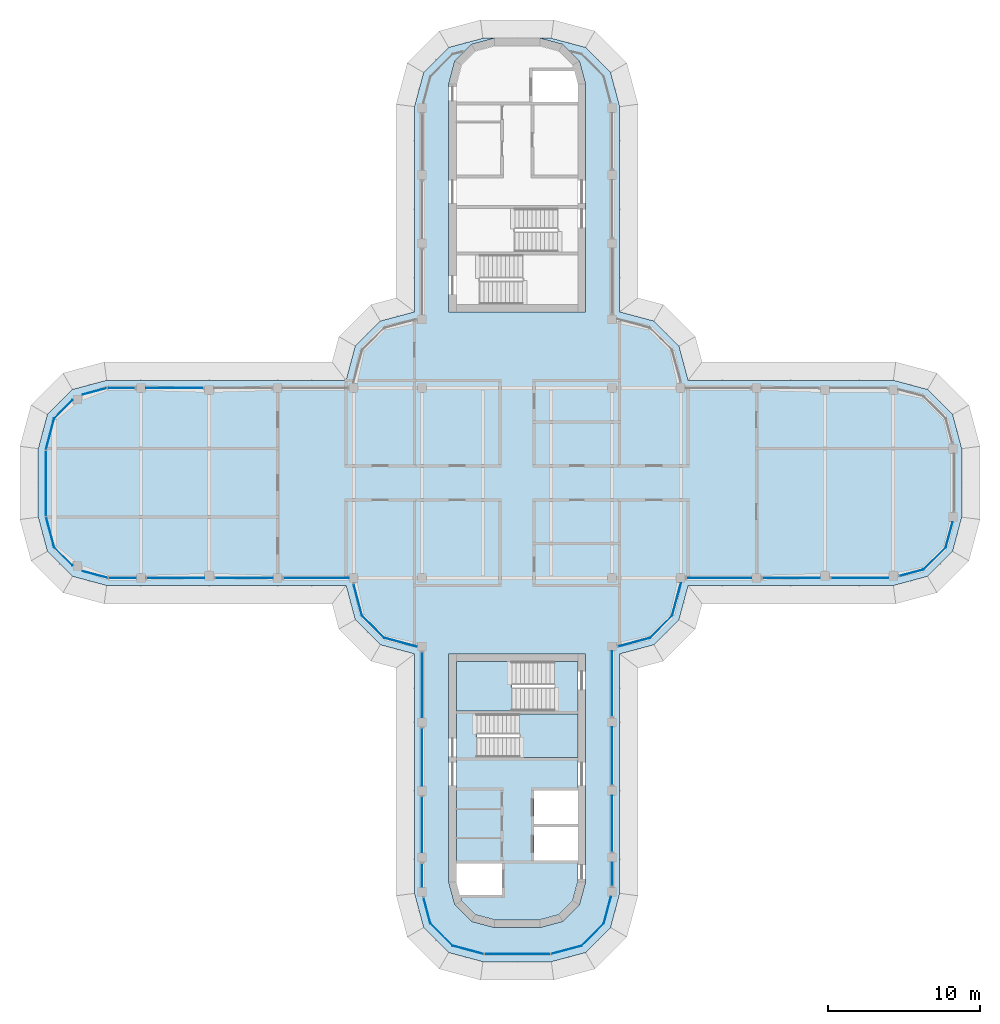
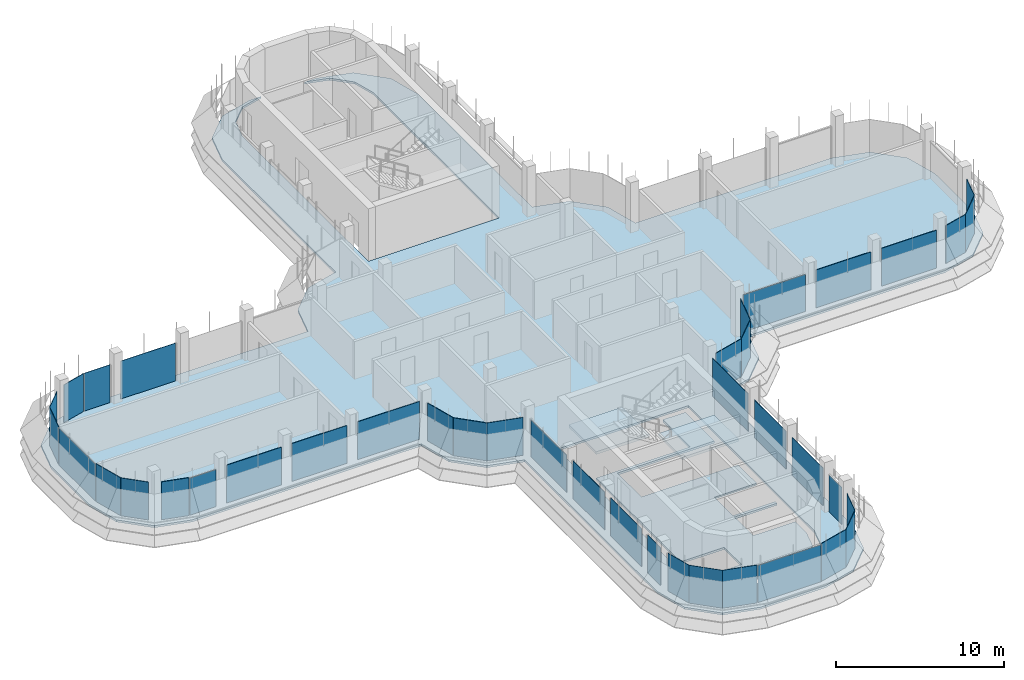
# One storey, part 11 of 19: 40 plates, 4 slabs, 30 elements without a shape of their own.
"""IFC4 building model written with IfcOpenShell, lengths in metres."""

from ifc_helpers import new_model, si_unit, direction, frame, origin, place, context, subcontext, project, spatial, polyline, outline, extrude, source, transform, mapped, material, layer, layer_set, type_object, element, aggregate, save


model = new_model("IFC4")

# Units and contexts
model_context = context("Model", 3, precision=1e-05, world=origin(), true_north=direction((0.0, 1.0)))
body_context = subcontext(model_context, "Body", "Model", "MODEL_VIEW")
ifc_project = project(units=[si_unit("LENGTHUNIT", "METRE"), si_unit("AREAUNIT", "SQUARE_METRE"), si_unit("VOLUMEUNIT", "CUBIC_METRE"), si_unit("PLANEANGLEUNIT", "RADIAN"), si_unit("MASSUNIT", "GRAM", prefix="KILO")], contexts=[model_context])

# Site, building, storey
site_placement = place(None, origin())
site = spatial("IfcSite", under=ifc_project, at=site_placement, CompositionType="ELEMENT")
building_placement = place(site_placement, origin())
building = spatial("IfcBuilding", under=site, at=building_placement, Name="Zarbagh Exchange Tower", CompositionType="ELEMENT")
storey_placement = place(building_placement, frame((0.0, 0.0, 268.800048828125)))
storey = spatial("IfcBuildingStorey", under=building, at=storey_placement, Name="L66", CompositionType="ELEMENT", Elevation=268.800048828125)

# Slabs
ifc_material_1 = material(Name="Concrete C40/50", Category="concrete")
ifc_layer_1 = layer(ifc_material_1, 0.14990234375)
ifc_layer_set_1 = layer_set([ifc_layer_1], Name="Composite floor slab 150 C40/50")
slab_type_1 = type_object("IfcSlabType", Name="Composite floor slab 150 C40/50", PredefinedType="FLOOR", material=ifc_layer_set_1)
slab_1_placement = place(storey_placement, frame((0.0, 0.0, -0.150146484375)))
element("IfcSlab", 1, at=slab_1_placement, inside=storey, type_object=slab_type_1, Name="S5 composite floor slab", PredefinedType="FLOOR", context=body_context, shape_type="SweptSolid", body=[
    extrude(outline(polyline([(-2.25, -31.5), (-4.5, -30.897216796875), (-6.147216796875, -29.25), (-6.75, -27.0), (-6.75, -11.25), (-9.0, -10.647216796875), (-10.647216796875, -9.0), (-11.25, -6.75), (-27.0, -6.75), (-29.25, -6.147216796875), (-30.897216796875, -4.5), (-31.5, -2.25), (-31.5, 2.25), (-30.897216796875, 4.5), (-29.25, 6.147216796875), (-27.0, 6.75), (-11.25, 6.75), (-10.647216796875, 9.0), (-9.0, 10.647216796875), (-6.75, 11.25), (-6.75, 24.75), (-6.147216796875, 27.0), (-4.5, 28.647216796875), (-2.25, 29.25), (-1.5, 29.25), (-3.0, 28.84814453125), (-4.09814453125, 27.75), (-4.5, 26.25), (-4.5, 11.25), (4.5, 11.25), (4.5, 26.25), (4.09814453125, 27.75), (3.0, 28.84814453125), (1.5, 29.25), (2.25, 29.25), (4.5, 28.647216796875), (6.147216796875, 27.0), (6.75, 24.75), (6.75, 11.25), (9.0, 10.647216796875), (10.647216796875, 9.0), (11.25, 6.75), (24.75, 6.75), (27.0, 6.147216796875), (28.647216796875, 4.5), (29.25, 2.25), (29.25, -2.25), (28.647216796875, -4.5), (27.0, -6.147216796875), (24.75, -6.75), (11.25, -6.75), (10.647216796875, -9.0), (9.0, -10.647216796875), (6.75, -11.25), (6.75, -27.0), (6.147216796875, -29.25), (4.5, -30.897216796875), (2.25, -31.5), (-2.25, -31.5)]), holes=[polyline([(-1.5, -29.25), (1.5, -29.25), (3.0, -28.84814453125), (4.09814453125, -27.75), (4.5, -26.25), (4.5, -11.25), (-4.5, -11.25), (-4.5, -26.25), (-4.09814453125, -27.75), (-3.0, -28.84814453125), (-1.5, -29.25)])]), origin(), (0.0, 0.0, 1.0), 0.150146484375),
])
ifc_layer_2 = layer(ifc_material_1, 0.14990234375)
ifc_layer_set_2 = layer_set([ifc_layer_2], Name="Core floor slab 150 C40/50")
slab_type_2 = type_object("IfcSlabType", Name="Core floor slab 150 C40/50", PredefinedType="FLOOR", material=ifc_layer_set_2)
slab_2_placement = place(storey_placement, frame((0.0, 0.0, -0.150146484375)))
element("IfcSlab", 2, at=slab_2_placement, inside=storey, type_object=slab_type_2, Name="S17 core S", PredefinedType="FLOOR", context=body_context, shape_type="SweptSolid", body=[
    extrude(outline(polyline([(-2.7412109375, -28.39990234375), (-3.64990234375, -27.4912109375), (-3.857666015625, -26.715087890625), (-3.754638671875, -27.10009765625), (-1.0, -27.10009765625), (-1.0, -25.050048828125), (-4.0, -25.050048828125), (-4.0, -15.0), (2.449951171875, -15.0), (2.449951171875, -11.75), (4.0, -11.75), (4.0, -15.199951171875), (-2.64990234375, -15.199951171875), (-2.64990234375, -18.050048828125), (4.0, -18.050048828125), (4.0, -20.25), (1.10009765625, -20.25), (1.10009765625, -22.449951171875), (4.0, -22.449951171875), (4.0, -22.64990234375), (1.10009765625, -22.64990234375), (1.10009765625, -24.85009765625), (4.0, -24.85009765625), (4.0, -26.18408203125), (3.64990234375, -27.4912109375), (2.7412109375, -28.39990234375), (1.43408203125, -28.75), (-1.43408203125, -28.75), (-2.7412109375, -28.39990234375)])), origin(), (0.0, 0.0, 1.0), 0.150146484375),
])

# Stair, slab
stair_type = type_object("IfcStairType", Name="Exit stair two-flight half-turn", PredefinedType="HALF_TURN_STAIR", material=ifc_material_1)
stair_1_placement = place(storey_placement, origin())
stair_1 = element("IfcStair", 3, at=stair_1_placement, inside=storey, type_object=stair_type, Name="exit stair ST3", PredefinedType="HALF_TURN_STAIR")
ifc_layer_3 = layer(ifc_material_1, 0.199951171875)
ifc_layer_set_3 = layer_set([ifc_layer_3], Name="Stair landing 200 mm")
slab_type_3 = type_object("IfcSlabType", Name="Stair landing 200 mm", PredefinedType="LANDING", material=ifc_layer_set_3)
slab_3_placement = place(storey_placement, frame((0.0, 0.0, 1.699951171875)))
slab_3 = element("IfcSlab", 4, at=slab_3_placement, type_object=slab_type_3, Name="ST3 landing 1", PredefinedType="LANDING", context=body_context, shape_type="SweptSolid", body=[
    extrude(outline(polyline([(0.14990234375, -18.050048828125), (4.0, -18.050048828125), (4.0, -15.199951171875), (0.14990234375, -15.199951171875), (0.14990234375, -18.050048828125)])), origin(), (0.0, 0.0, 1.0), 0.199951171875),
])
aggregate(stair_1, [slab_3])

stair_2_placement = place(storey_placement, origin())
stair_2 = element("IfcStair", 5, at=stair_2_placement, inside=storey, type_object=stair_type, Name="exit stair ST4", PredefinedType="HALF_TURN_STAIR")
slab_4_placement = place(storey_placement, frame((0.0, 0.0, 1.699951171875)))
slab_4 = element("IfcSlab", 6, at=slab_4_placement, type_object=slab_type_3, Name="ST4 landing 1", PredefinedType="LANDING", context=body_context, shape_type="SweptSolid", body=[
    extrude(outline(polyline([(-0.35009765625, -11.75), (-4.0, -11.75), (-4.0, -15.0), (-0.35009765625, -15.0), (-0.35009765625, -11.75)])), origin(), (0.0, 0.0, 1.0), 0.199951171875),
])
aggregate(stair_2, [slab_4])

# Curtain wall, plate
ifc_material_2 = material(Name="Anodised aluminium frame and glazing", Category="aluminium")
curtain_wall_type = type_object("IfcCurtainWallType", Name="CWB Ribbon glazing, upper zones", PredefinedType="NOTDEFINED", material=ifc_material_2)
curtain_wall_1_placement = place(storey_placement, origin())
curtain_wall_1 = element("IfcCurtainWall", 7, at=curtain_wall_1_placement, inside=storey, type_object=curtain_wall_type, Name="CWB50 curtain wall", PredefinedType="NOTDEFINED")
ifc_material_3 = material(Name="Low-e double glazed unit, 6+12+6 mm")
ifc_layer_4 = layer(ifc_material_3, 0.031982421875)
ifc_layer_set_4 = layer_set([ifc_layer_4], Name="PAB Glazing panel, Low-e double glazed unit, 6+12+6 mm")
plate_type = type_object("IfcPlateType", Name="PAB Glazing panel, Low-e double glazed unit, 6+12+6 mm", PredefinedType="CURTAIN_PANEL", material=ifc_layer_set_4)
shared_shape_1 = source(origin(), body_context, "Body", "SweptSolid", [
    extrude(outline(polyline([(0.0, -0.01611328125), (2.061279296875, -0.01611328125), (2.061279296875, 0.01611328125), (0.0, 0.01611328125), (0.0, -0.01611328125)])), origin(), (0.0, 0.0, 1.0), 2.75),
])
placement = place(storey_placement, origin())
plate_1 = element("IfcPlate", 8, at=placement, type_object=plate_type, Name="CWB50 glazing panel 1.1", PredefinedType="CURTAIN_PANEL", context=body_context, shape_type="MappedRepresentation", body=[
    mapped(shared_shape_1, transform((4.2412109375, -30.44873046875, 0.0), x_axis=(0.707106781187, 0.707106781187, 0.0), y_axis=(-0.707106781187, 0.707106781187, 0.0), z_axis=(0.0, 0.0, 1.0))),
])
aggregate(curtain_wall_1, [plate_1])

curtain_wall_2_placement = place(storey_placement, origin())
curtain_wall_2 = element("IfcCurtainWall", 9, at=curtain_wall_2_placement, inside=storey, type_object=curtain_wall_type, Name="CWB06 curtain wall", PredefinedType="NOTDEFINED")
plate_2 = element("IfcPlate", 10, at=placement, type_object=plate_type, Name="CWB06 glazing panel 1.1", PredefinedType="CURTAIN_PANEL", context=body_context, shape_type="MappedRepresentation", body=[
    mapped(shared_shape_1, transform((8.7412109375, -10.19873046875, 0.0), x_axis=(0.707106781187, 0.707106781187, 0.0), y_axis=(-0.707106781187, 0.707106781187, 0.0), z_axis=(0.0, 0.0, 1.0))),
])
aggregate(curtain_wall_2, [plate_2])

curtain_wall_3_placement = place(storey_placement, origin())
curtain_wall_3 = element("IfcCurtainWall", 11, at=curtain_wall_3_placement, inside=storey, type_object=curtain_wall_type, Name="CWB77 curtain wall", PredefinedType="NOTDEFINED")
plate_3 = element("IfcPlate", 12, at=placement, type_object=plate_type, Name="CWB77 glazing panel 1.1", PredefinedType="CURTAIN_PANEL", context=body_context, shape_type="MappedRepresentation", body=[
    mapped(shared_shape_1, transform((26.7412109375, -5.69873046875, 0.0), x_axis=(0.707106781187, 0.707106781187, 0.0), y_axis=(-0.707106781187, 0.707106781187, 0.0), z_axis=(0.0, 0.0, 1.0))),
])
aggregate(curtain_wall_3, [plate_3])

curtain_wall_4_placement = place(storey_placement, origin())
curtain_wall_4 = element("IfcCurtainWall", 13, at=curtain_wall_4_placement, inside=storey, type_object=curtain_wall_type, Name="CWB42 curtain wall", PredefinedType="NOTDEFINED")
plate_4 = element("IfcPlate", 14, at=placement, type_object=plate_type, Name="CWB42 glazing panel 1.1", PredefinedType="CURTAIN_PANEL", context=body_context, shape_type="MappedRepresentation", body=[
    mapped(shared_shape_1, transform((-10.19873046875, -8.7412109375, 0.0), x_axis=(0.707106781187, -0.707106781187, 0.0), y_axis=(0.707106781187, 0.707106781187, 0.0), z_axis=(0.0, 0.0, 1.0))),
])
aggregate(curtain_wall_4, [plate_4])

curtain_wall_5_placement = place(storey_placement, origin())
curtain_wall_5 = element("IfcCurtainWall", 15, at=curtain_wall_5_placement, inside=storey, type_object=curtain_wall_type, Name="CWB55 curtain wall", PredefinedType="NOTDEFINED")
plate_5 = element("IfcPlate", 16, at=placement, type_object=plate_type, Name="CWB55 glazing panel 1.1", PredefinedType="CURTAIN_PANEL", context=body_context, shape_type="MappedRepresentation", body=[
    mapped(shared_shape_1, transform((-5.69873046875, -28.9912109375, 0.0), x_axis=(0.707106781187, -0.707106781187, 0.0), y_axis=(0.707106781187, 0.707106781187, 0.0), z_axis=(0.0, 0.0, 1.0))),
])
aggregate(curtain_wall_5, [plate_5])

curtain_wall_6_placement = place(storey_placement, origin())
curtain_wall_6 = element("IfcCurtainWall", 17, at=curtain_wall_6_placement, inside=storey, type_object=curtain_wall_type, Name="CWB61 curtain wall", PredefinedType="NOTDEFINED")
shared_shape_2 = source(origin(), body_context, "Body", "SweptSolid", [
    extrude(outline(polyline([(0.0, -0.01611328125), (2.129638671875, -0.01611328125), (2.129638671875, 0.01611328125), (0.0, 0.01611328125), (0.0, -0.01611328125)])), origin(), (0.0, 0.0, 1.0), 2.75),
])
plate_6 = element("IfcPlate", 18, at=placement, type_object=plate_type, Name="CWB61 glazing panel 1.1", PredefinedType="CURTAIN_PANEL", context=body_context, shape_type="MappedRepresentation", body=[
    mapped(shared_shape_2, transform((-30.44873046875, 4.2412109375, 0.0), x_axis=(-0.258824779902, -0.965924289636, 0.0), y_axis=(0.965924289636, -0.258824779902, 0.0), z_axis=(0.0, 0.0, 1.0))),
])
aggregate(curtain_wall_6, [plate_6])

curtain_wall_7_placement = place(storey_placement, origin())
curtain_wall_7 = element("IfcCurtainWall", 19, at=curtain_wall_7_placement, inside=storey, type_object=curtain_wall_type, Name="CWB56 curtain wall", PredefinedType="NOTDEFINED")
plate_7 = element("IfcPlate", 20, at=placement, type_object=plate_type, Name="CWB56 glazing panel 1.1", PredefinedType="CURTAIN_PANEL", context=body_context, shape_type="MappedRepresentation", body=[
    mapped(shared_shape_2, transform((-4.2412109375, -30.44873046875, 0.0), x_axis=(0.965924289636, -0.258824779902, 0.0), y_axis=(0.258824779902, 0.965924289636, 0.0), z_axis=(0.0, 0.0, 1.0))),
])
aggregate(curtain_wall_7, [plate_7])

curtain_wall_8_placement = place(storey_placement, origin())
curtain_wall_8 = element("IfcCurtainWall", 21, at=curtain_wall_8_placement, inside=storey, type_object=curtain_wall_type, Name="CWB65 curtain wall", PredefinedType="NOTDEFINED")
shared_shape_3 = source(origin(), body_context, "Body", "SweptSolid", [
    extrude(outline(polyline([(0.0, -0.01611328125), (1.7841796875, -0.01611328125), (1.7841796875, 0.01611328125), (0.0, 0.01611328125), (0.0, -0.01611328125)])), origin(), (0.0, 0.0, 1.0), 2.68994140625),
])
plate_8 = element("IfcPlate", 22, at=placement, type_object=plate_type, Name="CWB65 glazing panel 1.1", PredefinedType="CURTAIN_PANEL", context=body_context, shape_type="MappedRepresentation", body=[
    mapped(shared_shape_3, transform((-26.874267578125, -6.25, 0.0), x_axis=(1.0, 0.0, 0.0), y_axis=(0.0, 1.0, 0.0), z_axis=(0.0, 0.0, 1.0))),
])

curtain_wall_9_placement = place(storey_placement, origin())
curtain_wall_9 = element("IfcCurtainWall", 23, at=curtain_wall_9_placement, inside=storey, type_object=curtain_wall_type, Name="CWB66 curtain wall", PredefinedType="NOTDEFINED")
shared_shape_4 = source(origin(), body_context, "Body", "SweptSolid", [
    extrude(outline(polyline([(0.0, -0.01611328125), (4.308349609375, -0.01611328125), (4.308349609375, 0.01611328125), (0.0, 0.01611328125), (0.0, -0.01611328125)])), origin(), (0.0, 0.0, 1.0), 2.68994140625),
])
plate_9 = element("IfcPlate", 24, at=placement, type_object=plate_type, Name="CWB66 glazing panel 1.1", PredefinedType="CURTAIN_PANEL", context=body_context, shape_type="MappedRepresentation", body=[
    mapped(shared_shape_4, transform((-31.0, 2.124267578125, 0.0), x_axis=(0.0, -1.0, 0.0), y_axis=(1.0, 0.0, 0.0), z_axis=(0.0, 0.0, 1.0))),
])
aggregate(curtain_wall_9, [plate_9])

curtain_wall_10_placement = place(storey_placement, origin())
curtain_wall_10 = element("IfcCurtainWall", 25, at=curtain_wall_10_placement, inside=storey, type_object=curtain_wall_type, Name="CWB57 curtain wall", PredefinedType="NOTDEFINED")
plate_10 = element("IfcPlate", 26, at=placement, type_object=plate_type, Name="CWB57 glazing panel 1.1", PredefinedType="CURTAIN_PANEL", context=body_context, shape_type="MappedRepresentation", body=[
    mapped(shared_shape_4, transform((-2.124267578125, -31.0, 0.0), x_axis=(1.0, 0.0, 0.0), y_axis=(0.0, 1.0, 0.0), z_axis=(0.0, 0.0, 1.0))),
])
aggregate(curtain_wall_10, [plate_10])

curtain_wall_11_placement = place(storey_placement, origin())
curtain_wall_11 = element("IfcCurtainWall", 27, at=curtain_wall_11_placement, inside=storey, type_object=curtain_wall_type, Name="CWB49 curtain wall", PredefinedType="NOTDEFINED")
shared_shape_5 = source(origin(), body_context, "Body", "SweptSolid", [
    extrude(outline(polyline([(0.0, -0.01611328125), (2.069580078125, -0.01611328125), (2.069580078125, 0.01611328125), (0.0, 0.01611328125), (0.0, -0.01611328125)])), origin(), (0.0, 0.0, 1.0), 2.75),
])
plate_11 = element("IfcPlate", 28, at=placement, type_object=plate_type, Name="CWB49 glazing panel 1.1", PredefinedType="CURTAIN_PANEL", context=body_context, shape_type="MappedRepresentation", body=[
    mapped(shared_shape_5, transform((2.2421875, -30.984375, 0.0), x_axis=(0.965924289636, 0.258824779902, 0.0), y_axis=(-0.258824779902, 0.965924289636, 0.0), z_axis=(0.0, 0.0, 1.0))),
])
aggregate(curtain_wall_11, [plate_11])

curtain_wall_12_placement = place(storey_placement, origin())
curtain_wall_12 = element("IfcCurtainWall", 29, at=curtain_wall_12_placement, inside=storey, type_object=curtain_wall_type, Name="CWB62 curtain wall", PredefinedType="NOTDEFINED")
plate_12 = element("IfcPlate", 30, at=placement, type_object=plate_type, Name="CWB62 glazing panel 1.1", PredefinedType="CURTAIN_PANEL", context=body_context, shape_type="MappedRepresentation", body=[
    mapped(shared_shape_5, transform((-30.984375, -2.2421875, 0.0), x_axis=(0.258824779902, -0.965924289636, 0.0), y_axis=(0.965924289636, 0.258824779902, 0.0), z_axis=(0.0, 0.0, 1.0))),
])
aggregate(curtain_wall_12, [plate_12])

curtain_wall_13_placement = place(storey_placement, origin())
curtain_wall_13 = element("IfcCurtainWall", 31, at=curtain_wall_13_placement, inside=storey, type_object=curtain_wall_type, Name="CWB58 curtain wall", PredefinedType="NOTDEFINED")
shared_shape_6 = source(origin(), body_context, "Body", "SweptSolid", [
    extrude(outline(polyline([(0.0, -0.01611328125), (1.7841796875, -0.01611328125), (1.7841796875, 0.01611328125), (0.0, 0.01611328125), (0.0, -0.01611328125)])), origin(), (0.0, 0.0, 1.0), 2.75),
])
plate_13 = element("IfcPlate", 32, at=placement, type_object=plate_type, Name="CWB58 glazing panel 4.1", PredefinedType="CURTAIN_PANEL", context=body_context, shape_type="MappedRepresentation", body=[
    mapped(shared_shape_6, transform((-25.150146484375, 6.25, 0.0), x_axis=(-1.0, 0.0, 0.0), y_axis=(0.0, -1.0, 0.0), z_axis=(0.0, 0.0, 1.0))),
])

curtain_wall_14_placement = place(storey_placement, origin())
curtain_wall_14 = element("IfcCurtainWall", 33, at=curtain_wall_14_placement, inside=storey, type_object=curtain_wall_type, Name="CWB78 curtain wall", PredefinedType="NOTDEFINED")
shared_shape_7 = source(origin(), body_context, "Body", "SweptSolid", [
    extrude(outline(polyline([(0.0, -0.01611328125), (1.70947265625, -0.01611328125), (1.70947265625, 0.01611328125), (0.0, 0.01611328125), (0.0, -0.01611328125)])), origin(), (0.0, 0.0, 1.0), 2.75),
])
plate_14 = element("IfcPlate", 34, at=placement, type_object=plate_type, Name="CWB78 glazing panel 1.1", PredefinedType="CURTAIN_PANEL", context=body_context, shape_type="MappedRepresentation", body=[
    mapped(shared_shape_7, transform((28.19873046875, -4.2412109375, 0.0), x_axis=(0.258824779902, 0.965924289636, 0.0), y_axis=(-0.965924289636, 0.258824779902, 0.0), z_axis=(0.0, 0.0, 1.0))),
])
aggregate(curtain_wall_14, [plate_14])

curtain_wall_15_placement = place(storey_placement, origin())
curtain_wall_15 = element("IfcCurtainWall", 35, at=curtain_wall_15_placement, inside=storey, type_object=curtain_wall_type, Name="CWB76 curtain wall", PredefinedType="NOTDEFINED")
shared_shape_8 = source(origin(), body_context, "Body", "SweptSolid", [
    extrude(outline(polyline([(0.0, -0.01611328125), (1.6494140625, -0.01611328125), (1.6494140625, 0.01611328125), (0.0, 0.01611328125), (0.0, -0.01611328125)])), origin(), (0.0, 0.0, 1.0), 2.75),
])
plate_15 = element("IfcPlate", 36, at=placement, type_object=plate_type, Name="CWB76 glazing panel 1.1", PredefinedType="CURTAIN_PANEL", context=body_context, shape_type="MappedRepresentation", body=[
    mapped(shared_shape_8, transform((25.14794921875, -6.125732421875, 0.0), x_axis=(0.965924289636, 0.258824779902, 0.0), y_axis=(-0.258824779902, 0.965924289636, 0.0), z_axis=(0.0, 0.0, 1.0))),
])
aggregate(curtain_wall_15, [plate_15])

curtain_wall_16_placement = place(storey_placement, origin())
curtain_wall_16 = element("IfcCurtainWall", 37, at=curtain_wall_16_placement, inside=storey, type_object=curtain_wall_type, Name="CWB52 curtain wall", PredefinedType="NOTDEFINED")
shared_shape_9 = source(origin(), body_context, "Body", "SweptSolid", [
    extrude(outline(polyline([(0.0, -0.01611328125), (3.659912109375, -0.01611328125), (3.659912109375, 0.01611328125), (0.0, 0.01611328125), (0.0, -0.01611328125)])), origin(), (0.0, 0.0, 1.0), 2.75),
])
plate_16 = element("IfcPlate", 38, at=placement, type_object=plate_type, Name="CWB52 glazing panel 2.1", PredefinedType="CURTAIN_PANEL", context=body_context, shape_type="MappedRepresentation", body=[
    mapped(shared_shape_9, transform((6.25, -24.25, 0.0), x_axis=(0.0, 1.0, 0.0), y_axis=(-1.0, 0.0, 0.0), z_axis=(0.0, 0.0, 1.0))),
])

curtain_wall_17_placement = place(storey_placement, origin())
curtain_wall_17 = element("IfcCurtainWall", 39, at=curtain_wall_17_placement, inside=storey, type_object=curtain_wall_type, Name="CWB53 curtain wall", PredefinedType="NOTDEFINED")
plate_17 = element("IfcPlate", 40, at=placement, type_object=plate_type, Name="CWB53 glazing panel 3.1", PredefinedType="CURTAIN_PANEL", context=body_context, shape_type="MappedRepresentation", body=[
    mapped(shared_shape_9, transform((-6.25, -20.650146484375, 0.0), x_axis=(0.0, -1.0, 0.0), y_axis=(1.0, 0.0, 0.0), z_axis=(0.0, 0.0, 1.0))),
])

curtain_wall_18_placement = place(storey_placement, origin())
curtain_wall_18 = element("IfcCurtainWall", 41, at=curtain_wall_18_placement, inside=storey, type_object=curtain_wall_type, Name="CWB51 curtain wall", PredefinedType="NOTDEFINED")
shared_shape_10 = source(origin(), body_context, "Body", "SweptSolid", [
    extrude(outline(polyline([(0.0, -0.01611328125), (1.81298828125, -0.01611328125), (1.81298828125, 0.01611328125), (0.0, 0.01611328125), (0.0, -0.01611328125)])), origin(), (0.0, 0.0, 1.0), 2.75),
])
plate_18 = element("IfcPlate", 42, at=placement, type_object=plate_type, Name="CWB51 glazing panel 1.1", PredefinedType="CURTAIN_PANEL", context=body_context, shape_type="MappedRepresentation", body=[
    mapped(shared_shape_10, transform((5.69873046875, -28.9912109375, 0.0), x_axis=(0.258824779902, 0.965924289636, 0.0), y_axis=(-0.965924289636, 0.258824779902, 0.0), z_axis=(0.0, 0.0, 1.0))),
])
aggregate(curtain_wall_18, [plate_18])

# Plate
shared_shape_11 = source(origin(), body_context, "Body", "SweptSolid", [
    extrude(outline(polyline([(0.0, -0.01611328125), (1.510009765625, -0.01611328125), (1.510009765625, 0.01611328125), (0.0, 0.01611328125), (0.0, -0.01611328125)])), origin(), (0.0, 0.0, 1.0), 2.68994140625),
])
plate_19 = element("IfcPlate", 43, at=placement, type_object=plate_type, Name="CWB52 glazing panel 1.1", PredefinedType="CURTAIN_PANEL", context=body_context, shape_type="MappedRepresentation", body=[
    mapped(shared_shape_11, transform((6.25, -26.5, 0.0), x_axis=(0.0, 1.0, 0.0), y_axis=(-1.0, 0.0, 0.0), z_axis=(0.0, 0.0, 1.0))),
])

shared_shape_12 = source(origin(), body_context, "Body", "SweptSolid", [
    extrude(outline(polyline([(0.0, -0.01611328125), (3.760009765625, -0.01611328125), (3.760009765625, 0.01611328125), (0.0, 0.01611328125), (0.0, -0.01611328125)])), origin(), (0.0, 0.0, 1.0), 2.75),
])
plate_20 = element("IfcPlate", 44, at=placement, type_object=plate_type, Name="CWB52 glazing panel 3.1", PredefinedType="CURTAIN_PANEL", context=body_context, shape_type="MappedRepresentation", body=[
    mapped(shared_shape_12, transform((6.25, -19.849853515625, 0.0), x_axis=(0.0, 1.0, 0.0), y_axis=(-1.0, 0.0, 0.0), z_axis=(0.0, 0.0, 1.0))),
])

# Curtain wall, plates
curtain_wall_19_placement = place(storey_placement, origin())
curtain_wall_19 = element("IfcCurtainWall", 45, at=curtain_wall_19_placement, inside=storey, type_object=curtain_wall_type, Name="CWB75 curtain wall", PredefinedType="NOTDEFINED")
plate_21 = element("IfcPlate", 46, at=placement, type_object=plate_type, Name="CWB75 glazing panel 2.1", PredefinedType="CURTAIN_PANEL", context=body_context, shape_type="MappedRepresentation", body=[
    mapped(shared_shape_12, transform((16.150146484375, -6.25, 0.0), x_axis=(1.0, 0.0, 0.0), y_axis=(0.0, 1.0, 0.0), z_axis=(0.0, 0.0, 1.0))),
])
plate_22 = element("IfcPlate", 47, at=placement, type_object=plate_type, Name="CWB75 glazing panel 3.1", PredefinedType="CURTAIN_PANEL", context=body_context, shape_type="MappedRepresentation", body=[
    mapped(shared_shape_12, transform((20.650146484375, -6.25, 0.0), x_axis=(1.0, 0.0, 0.0), y_axis=(0.0, 1.0, 0.0), z_axis=(0.0, 0.0, 1.0))),
])

# Plate
plate_23 = element("IfcPlate", 48, at=placement, type_object=plate_type, Name="CWB58 glazing panel 3.1", PredefinedType="CURTAIN_PANEL", context=body_context, shape_type="MappedRepresentation", body=[
    mapped(shared_shape_12, transform((-20.650146484375, 6.25, 0.0), x_axis=(-1.0, 0.0, 0.0), y_axis=(0.0, -1.0, 0.0), z_axis=(0.0, 0.0, 1.0))),
])

aggregate(curtain_wall_13, [plate_23, plate_13])

plate_24 = element("IfcPlate", 49, at=placement, type_object=plate_type, Name="CWB65 glazing panel 2.1", PredefinedType="CURTAIN_PANEL", context=body_context, shape_type="MappedRepresentation", body=[
    mapped(shared_shape_12, transform((-24.349853515625, -6.25, 0.0), x_axis=(1.0, 0.0, 0.0), y_axis=(0.0, 1.0, 0.0), z_axis=(0.0, 0.0, 1.0))),
])

plate_25 = element("IfcPlate", 50, at=placement, type_object=plate_type, Name="CWB65 glazing panel 3.1", PredefinedType="CURTAIN_PANEL", context=body_context, shape_type="MappedRepresentation", body=[
    mapped(shared_shape_12, transform((-19.849853515625, -6.25, 0.0), x_axis=(1.0, 0.0, 0.0), y_axis=(0.0, 1.0, 0.0), z_axis=(0.0, 0.0, 1.0))),
])

plate_26 = element("IfcPlate", 51, at=placement, type_object=plate_type, Name="CWB53 glazing panel 2.1", PredefinedType="CURTAIN_PANEL", context=body_context, shape_type="MappedRepresentation", body=[
    mapped(shared_shape_12, transform((-6.25, -16.150146484375, 0.0), x_axis=(0.0, -1.0, 0.0), y_axis=(1.0, 0.0, 0.0), z_axis=(0.0, 0.0, 1.0))),
])

shared_shape_13 = source(origin(), body_context, "Body", "SweptSolid", [
    extrude(outline(polyline([(0.0, -0.01611328125), (4.260009765625, -0.01611328125), (4.260009765625, 0.01611328125), (0.0, 0.01611328125), (0.0, -0.01611328125)])), origin(), (0.0, 0.0, 1.0), 2.75),
])
plate_27 = element("IfcPlate", 52, at=placement, type_object=plate_type, Name="CWB52 glazing panel 4.1", PredefinedType="CURTAIN_PANEL", context=body_context, shape_type="MappedRepresentation", body=[
    mapped(shared_shape_13, transform((6.25, -15.349853515625, 0.0), x_axis=(0.0, 1.0, 0.0), y_axis=(-1.0, 0.0, 0.0), z_axis=(0.0, 0.0, 1.0))),
])

aggregate(curtain_wall_16, [plate_19, plate_16, plate_20, plate_27])

plate_28 = element("IfcPlate", 53, at=placement, type_object=plate_type, Name="CWB65 glazing panel 4.1", PredefinedType="CURTAIN_PANEL", context=body_context, shape_type="MappedRepresentation", body=[
    mapped(shared_shape_13, transform((-15.349853515625, -6.25, 0.0), x_axis=(1.0, 0.0, 0.0), y_axis=(0.0, 1.0, 0.0), z_axis=(0.0, 0.0, 1.0))),
])

aggregate(curtain_wall_8, [plate_8, plate_24, plate_25, plate_28])

# Curtain wall, plate
curtain_wall_20_placement = place(storey_placement, origin())
curtain_wall_20 = element("IfcCurtainWall", 54, at=curtain_wall_20_placement, inside=storey, type_object=curtain_wall_type, Name="CWB05 curtain wall", PredefinedType="NOTDEFINED")
shared_shape_14 = source(origin(), body_context, "Body", "SweptSolid", [
    extrude(outline(polyline([(0.0, -0.01611328125), (2.1669921875, -0.01611328125), (2.1669921875, 0.01611328125), (0.0, 0.01611328125), (0.0, -0.01611328125)])), origin(), (0.0, 0.0, 1.0), 2.75),
])
plate_29 = element("IfcPlate", 55, at=placement, type_object=plate_type, Name="CWB05 glazing panel 1.1", PredefinedType="CURTAIN_PANEL", context=body_context, shape_type="MappedRepresentation", body=[
    mapped(shared_shape_14, transform((6.64794921875, -10.759765625, 0.0), x_axis=(0.965924289636, 0.258824779902, 0.0), y_axis=(-0.258824779902, 0.965924289636, 0.0), z_axis=(0.0, 0.0, 1.0))),
])
aggregate(curtain_wall_20, [plate_29])

curtain_wall_21_placement = place(storey_placement, origin())
curtain_wall_21 = element("IfcCurtainWall", 56, at=curtain_wall_21_placement, inside=storey, type_object=curtain_wall_type, Name="CWB41 curtain wall", PredefinedType="NOTDEFINED")
plate_30 = element("IfcPlate", 57, at=placement, type_object=plate_type, Name="CWB41 glazing panel 1.1", PredefinedType="CURTAIN_PANEL", context=body_context, shape_type="MappedRepresentation", body=[
    mapped(shared_shape_14, transform((-10.759765625, -6.64794921875, 0.0), x_axis=(0.258824779902, -0.965924289636, 0.0), y_axis=(0.965924289636, 0.258824779902, 0.0), z_axis=(0.0, 0.0, 1.0))),
])
aggregate(curtain_wall_21, [plate_30])

curtain_wall_22_placement = place(storey_placement, origin())
curtain_wall_22 = element("IfcCurtainWall", 58, at=curtain_wall_22_placement, inside=storey, type_object=curtain_wall_type, Name="CWB07 curtain wall", PredefinedType="NOTDEFINED")
shared_shape_15 = source(origin(), body_context, "Body", "SweptSolid", [
    extrude(outline(polyline([(0.0, -0.01611328125), (2.22705078125, -0.01611328125), (2.22705078125, 0.01611328125), (0.0, 0.01611328125), (0.0, -0.01611328125)])), origin(), (0.0, 0.0, 1.0), 2.75),
])
plate_31 = element("IfcPlate", 59, at=placement, type_object=plate_type, Name="CWB07 glazing panel 1.1", PredefinedType="CURTAIN_PANEL", context=body_context, shape_type="MappedRepresentation", body=[
    mapped(shared_shape_15, transform((10.19873046875, -8.7412109375, 0.0), x_axis=(0.258824779902, 0.965924289636, 0.0), y_axis=(-0.965924289636, 0.258824779902, 0.0), z_axis=(0.0, 0.0, 1.0))),
])
aggregate(curtain_wall_22, [plate_31])

curtain_wall_23_placement = place(storey_placement, origin())
curtain_wall_23 = element("IfcCurtainWall", 60, at=curtain_wall_23_placement, inside=storey, type_object=curtain_wall_type, Name="CWB43 curtain wall", PredefinedType="NOTDEFINED")
plate_32 = element("IfcPlate", 61, at=placement, type_object=plate_type, Name="CWB43 glazing panel 1.1", PredefinedType="CURTAIN_PANEL", context=body_context, shape_type="MappedRepresentation", body=[
    mapped(shared_shape_15, transform((-8.7412109375, -10.19873046875, 0.0), x_axis=(0.965924289636, -0.258824779902, 0.0), y_axis=(0.258824779902, 0.965924289636, 0.0), z_axis=(0.0, 0.0, 1.0))),
])
aggregate(curtain_wall_23, [plate_32])

# Plate
shared_shape_16 = source(origin(), body_context, "Body", "SweptSolid", [
    extrude(outline(polyline([(0.0, -0.01611328125), (4.260009765625, -0.01611328125), (4.260009765625, 0.01611328125), (0.0, 0.01611328125), (0.0, -0.01611328125)])), origin(), (0.0, 0.0, 1.0), 2.68994140625),
])
plate_33 = element("IfcPlate", 62, at=placement, type_object=plate_type, Name="CWB75 glazing panel 1.1", PredefinedType="CURTAIN_PANEL", context=body_context, shape_type="MappedRepresentation", body=[
    mapped(shared_shape_16, transform((11.150146484375, -6.25, 0.0), x_axis=(1.0, 0.0, 0.0), y_axis=(0.0, 1.0, 0.0), z_axis=(0.0, 0.0, 1.0))),
])

aggregate(curtain_wall_19, [plate_33, plate_21, plate_22])

plate_34 = element("IfcPlate", 63, at=placement, type_object=plate_type, Name="CWB53 glazing panel 1.1", PredefinedType="CURTAIN_PANEL", context=body_context, shape_type="MappedRepresentation", body=[
    mapped(shared_shape_16, transform((-6.25, -11.150146484375, 0.0), x_axis=(0.0, -1.0, 0.0), y_axis=(1.0, 0.0, 0.0), z_axis=(0.0, 0.0, 1.0))),
])

# Curtain wall, plate
curtain_wall_24_placement = place(storey_placement, origin())
curtain_wall_24 = element("IfcCurtainWall", 64, at=curtain_wall_24_placement, inside=storey, type_object=curtain_wall_type, Name="CWB54 curtain wall", PredefinedType="NOTDEFINED")
shared_shape_17 = source(origin(), body_context, "Body", "SweptSolid", [
    extrude(outline(polyline([(0.0, -0.01611328125), (1.7529296875, -0.01611328125), (1.7529296875, 0.01611328125), (0.0, 0.01611328125), (0.0, -0.01611328125)])), origin(), (0.0, 0.0, 1.0), 2.75),
])
plate_35 = element("IfcPlate", 65, at=placement, type_object=plate_type, Name="CWB54 glazing panel 1.1", PredefinedType="CURTAIN_PANEL", context=body_context, shape_type="MappedRepresentation", body=[
    mapped(shared_shape_17, transform((-6.152587890625, -27.2978515625, 0.0), x_axis=(0.258824779902, -0.965924289636, 0.0), y_axis=(0.965924289636, 0.258824779902, 0.0), z_axis=(0.0, 0.0, 1.0))),
])
aggregate(curtain_wall_24, [plate_35])

curtain_wall_25_placement = place(storey_placement, origin())
curtain_wall_25 = element("IfcCurtainWall", 66, at=curtain_wall_25_placement, inside=storey, type_object=curtain_wall_type, Name="CWB59 curtain wall", PredefinedType="NOTDEFINED")
shared_shape_18 = source(origin(), body_context, "Body", "SweptSolid", [
    extrude(outline(polyline([(0.0, -0.01611328125), (1.631591796875, -0.01611328125), (1.631591796875, 0.01611328125), (0.0, 0.01611328125), (0.0, -0.01611328125)])), origin(), (0.0, 0.0, 1.0), 2.75),
])
plate_36 = element("IfcPlate", 67, at=placement, type_object=plate_type, Name="CWB59 glazing panel 1.1", PredefinedType="CURTAIN_PANEL", context=body_context, shape_type="MappedRepresentation", body=[
    mapped(shared_shape_18, transform((-26.9921875, 6.234375, 0.0), x_axis=(-0.965924289636, -0.258824779902, 0.0), y_axis=(0.258824779902, -0.965924289636, 0.0), z_axis=(0.0, 0.0, 1.0))),
])
aggregate(curtain_wall_25, [plate_36])

curtain_wall_26_placement = place(storey_placement, origin())
curtain_wall_26 = element("IfcCurtainWall", 68, at=curtain_wall_26_placement, inside=storey, type_object=curtain_wall_type, Name="CWB60 curtain wall", PredefinedType="NOTDEFINED")
shared_shape_19 = source(origin(), body_context, "Body", "SweptSolid", [
    extrude(outline(polyline([(0.0, -0.01611328125), (1.6982421875, -0.01611328125), (1.6982421875, 0.01611328125), (0.0, 0.01611328125), (0.0, -0.01611328125)])), origin(), (0.0, 0.0, 1.0), 2.75),
])
plate_37 = element("IfcPlate", 69, at=placement, type_object=plate_type, Name="CWB60 glazing panel 1.1", PredefinedType="CURTAIN_PANEL", context=body_context, shape_type="MappedRepresentation", body=[
    mapped(shared_shape_19, transform((-29.248046875, 5.44189453125, 0.0), x_axis=(-0.707106781187, -0.707106781187, 0.0), y_axis=(0.707106781187, -0.707106781187, 0.0), z_axis=(0.0, 0.0, 1.0))),
])
aggregate(curtain_wall_26, [plate_37])

curtain_wall_27_placement = place(storey_placement, origin())
curtain_wall_27 = element("IfcCurtainWall", 70, at=curtain_wall_27_placement, inside=storey, type_object=curtain_wall_type, Name="CWB63 curtain wall", PredefinedType="NOTDEFINED")
plate_38 = element("IfcPlate", 71, at=placement, type_object=plate_type, Name="CWB63 glazing panel 1.1", PredefinedType="CURTAIN_PANEL", context=body_context, shape_type="MappedRepresentation", body=[
    mapped(shared_shape_19, transform((-30.44873046875, -4.2412109375, 0.0), x_axis=(0.707106781187, -0.707106781187, 0.0), y_axis=(0.707106781187, 0.707106781187, 0.0), z_axis=(0.0, 0.0, 1.0))),
])
aggregate(curtain_wall_27, [plate_38])

curtain_wall_28_placement = place(storey_placement, origin())
curtain_wall_28 = element("IfcCurtainWall", 72, at=curtain_wall_28_placement, inside=storey, type_object=curtain_wall_type, Name="CWB64 curtain wall", PredefinedType="NOTDEFINED")
shared_shape_20 = source(origin(), body_context, "Body", "SweptSolid", [
    extrude(outline(polyline([(0.0, -0.01611328125), (1.69140625, -0.01611328125), (1.69140625, 0.01611328125), (0.0, 0.01611328125), (0.0, -0.01611328125)])), origin(), (0.0, 0.0, 1.0), 2.75),
])
plate_39 = element("IfcPlate", 73, at=placement, type_object=plate_type, Name="CWB64 glazing panel 1.1", PredefinedType="CURTAIN_PANEL", context=body_context, shape_type="MappedRepresentation", body=[
    mapped(shared_shape_20, transform((-28.568115234375, -5.812255859375, 0.0), x_axis=(0.965924289636, -0.258824779902, 0.0), y_axis=(0.258824779902, 0.965924289636, 0.0), z_axis=(0.0, 0.0, 1.0))),
])
aggregate(curtain_wall_28, [plate_39])

# Plate
shared_shape_21 = source(origin(), body_context, "Body", "SweptSolid", [
    extrude(outline(polyline([(0.0, -0.01611328125), (1.510009765625, -0.01611328125), (1.510009765625, 0.01611328125), (0.0, 0.01611328125), (0.0, -0.01611328125)])), origin(), (0.0, 0.0, 1.0), 2.75),
])
plate_40 = element("IfcPlate", 74, at=placement, type_object=plate_type, Name="CWB53 glazing panel 4.1", PredefinedType="CURTAIN_PANEL", context=body_context, shape_type="MappedRepresentation", body=[
    mapped(shared_shape_21, transform((-6.25, -25.050048828125, 0.0), x_axis=(0.0, -1.0, 0.0), y_axis=(1.0, 0.0, 0.0), z_axis=(0.0, 0.0, 1.0))),
])

aggregate(curtain_wall_17, [plate_34, plate_26, plate_17, plate_40])

save(model, "model.ifc")
